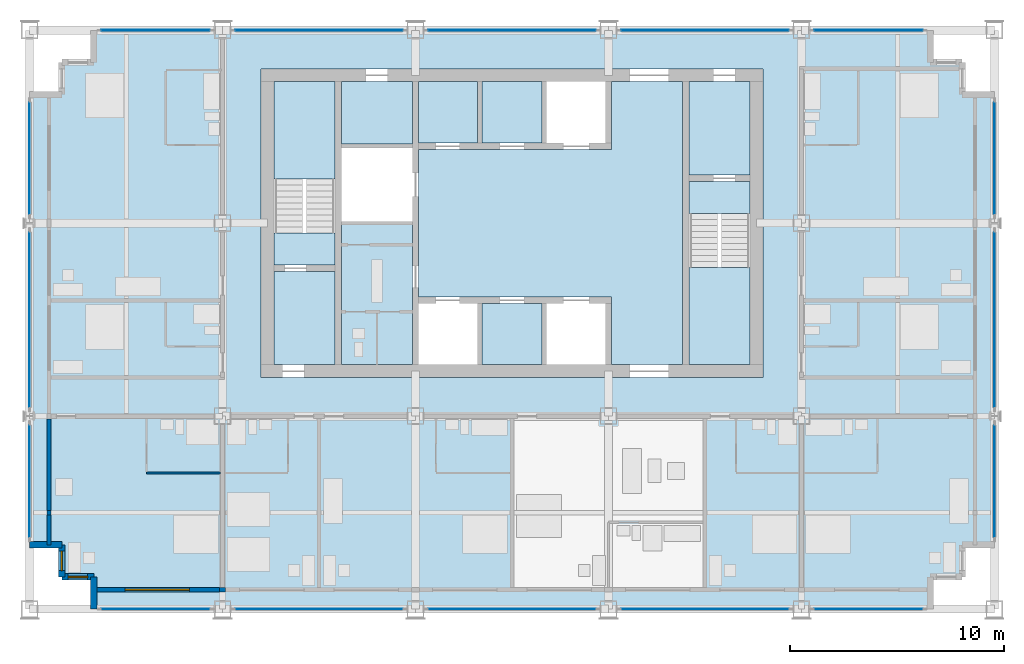
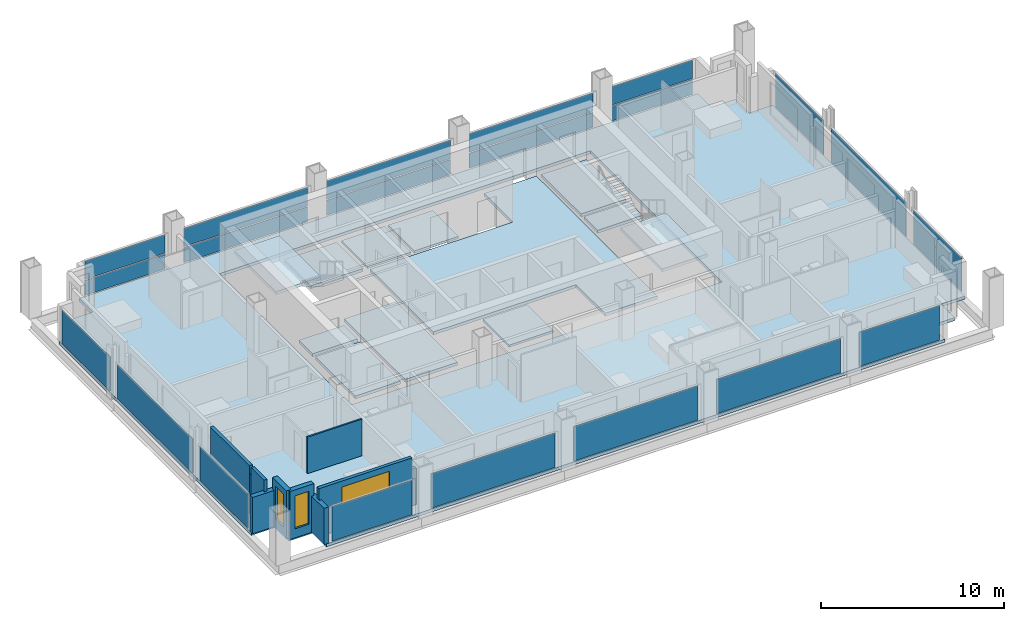
# One storey, part 6 of 13: 21 plates, 13 slabs, 10 walls, 3 windows, 3 openings, 18 elements without a shape of their own.
"""IFC4 building model written with IfcOpenShell, lengths in metres."""

from ifc_helpers import new_model, si_unit, direction, frame, frame_2d, origin, origin_2d, place, context, subcontext, project, spatial, polyline, rectangle, outline, extrude, material, layer, layer_set, type_object, element, fill, aggregate, save


model = new_model("IFC4")

# Units and contexts
model_context = context("Model", 3, precision=1e-05, world=origin(), true_north=direction((0.0, 1.0)))
body_context = subcontext(model_context, "Body", "Model", "MODEL_VIEW")
ifc_project = project(units=[si_unit("LENGTHUNIT", "METRE"), si_unit("AREAUNIT", "SQUARE_METRE"), si_unit("VOLUMEUNIT", "CUBIC_METRE"), si_unit("PLANEANGLEUNIT", "RADIAN"), si_unit("MASSUNIT", "GRAM", prefix="KILO")], contexts=[model_context])

# Site, building, storey
site_placement = place(None, origin())
site = spatial("IfcSite", under=ifc_project, at=site_placement, CompositionType="ELEMENT")
building_placement = place(site_placement, origin())
building = spatial("IfcBuilding", under=site, at=building_placement, Name="Loomwork Tower", CompositionType="ELEMENT")
storey_placement = place(building_placement, frame((0.0, 0.0, 204.60009765625)))
storey = spatial("IfcBuildingStorey", under=building, at=storey_placement, Name="L56", CompositionType="ELEMENT", Elevation=204.60009765625)

# Slabs
ifc_material_1 = material(Name="Concrete 5000 psi (34 MPa) on composite metal deck", Category="concrete")
ifc_layer_1 = layer(ifc_material_1, 0.199951171875)
ifc_layer_set_1 = layer_set([ifc_layer_1], Name="Floor slab 200")
slab_type_1 = type_object("IfcSlabType", Name="Floor slab 200", PredefinedType="FLOOR", material=ifc_layer_set_1)
slab_1_placement = place(storey_placement, frame((0.0, 0.0, -0.2001953125)))
element("IfcSlab", 1, at=slab_1_placement, inside=storey, type_object=slab_type_1, Name="Floor slab L56", PredefinedType="FLOOR", context=body_context, shape_type="SweptSolid", body=[
    extrude(outline(polyline([(3.0, 1.5), (1.5, 1.5), (1.5, 3.0), (0.0, 3.0), (0.0, 24.0), (1.5, 24.0), (1.5, 25.5), (3.0, 25.5), (3.0, 27.0), (42.0, 27.0), (42.0, 25.5), (43.5, 25.5), (43.5, 24.0), (45.0, 24.0), (45.0, 3.0), (43.5, 3.0), (43.5, 1.5), (42.0, 1.5), (42.0, 0.0), (3.0, 0.0), (3.0, 1.5)]), holes=[polyline([(10.800048828125, 11.39990234375), (10.800048828125, 11.39990234375), (10.800048828125, 10.800048828125), (34.199951171875, 10.800048828125), (34.199951171875, 11.39990234375), (34.199951171875, 11.39990234375), (34.199951171875, 24.60009765625), (34.199951171875, 25.199951171875), (10.800048828125, 25.199951171875), (10.800048828125, 24.60009765625), (10.800048828125, 11.39990234375)])]), origin(), (0.0, 0.0, 1.0), 0.2001953125),
])
slab_2_placement = place(storey_placement, frame((0.0, 0.0, -0.2001953125)))
element("IfcSlab", 2, at=slab_2_placement, inside=storey, type_object=slab_type_1, Name="Floor slab L56", PredefinedType="FLOOR", context=body_context, shape_type="SweptSolid", body=[
    extrude(outline(polyline([(30.449951171875, 24.60009765625), (30.449951171875, 11.39990234375), (27.14990234375, 11.39990234375), (27.14990234375, 14.25), (27.14990234375, 14.550048828125), (18.14990234375, 14.550048828125), (18.14990234375, 21.449951171875), (27.14990234375, 21.449951171875), (27.14990234375, 21.75), (27.14990234375, 24.60009765625), (30.449951171875, 24.60009765625)])), origin(), (0.0, 0.0, 1.0), 0.2001953125),
])
slab_3_placement = place(storey_placement, frame((0.0, 0.0, -0.2001953125)))
element("IfcSlab", 3, at=slab_3_placement, inside=storey, type_object=slab_type_1, Name="Floor slab L56", PredefinedType="FLOOR", context=body_context, shape_type="SweptSolid", body=[
    extrude(outline(polyline([(14.550048828125, 11.39990234375), (14.550048828125, 18.074951171875), (17.85009765625, 18.074951171875), (17.85009765625, 11.39990234375), (14.550048828125, 11.39990234375)])), origin(), (0.0, 0.0, 1.0), 0.2001953125),
])
slab_4_placement = place(storey_placement, frame((0.0, 0.0, -0.2001953125)))
element("IfcSlab", 4, at=slab_4_placement, inside=storey, type_object=slab_type_1, Name="Floor slab L56", PredefinedType="FLOOR", context=body_context, shape_type="SweptSolid", body=[
    extrude(outline(polyline([(33.60009765625, 20.25), (30.75, 20.25), (30.75, 24.60009765625), (33.60009765625, 24.60009765625), (33.60009765625, 20.25)])), origin(), (0.0, 0.0, 1.0), 0.2001953125),
])
slab_5_placement = place(storey_placement, frame((0.0, 0.0, -0.2001953125)))
element("IfcSlab", 5, at=slab_5_placement, inside=storey, type_object=slab_type_1, Name="Floor slab L56", PredefinedType="FLOOR", context=body_context, shape_type="SweptSolid", body=[
    extrude(outline(polyline([(14.25, 15.75), (14.25, 11.39990234375), (11.39990234375, 11.39990234375), (11.39990234375, 15.75), (14.25, 15.75)])), origin(), (0.0, 0.0, 1.0), 0.2001953125),
])
slab_6_placement = place(storey_placement, frame((0.0, 0.0, -0.2001953125)))
element("IfcSlab", 6, at=slab_6_placement, inside=storey, type_object=slab_type_1, Name="Floor slab L56", PredefinedType="FLOOR", context=body_context, shape_type="SweptSolid", body=[
    extrude(outline(polyline([(14.550048828125, 21.699951171875), (14.550048828125, 24.60009765625), (17.85009765625, 24.60009765625), (17.85009765625, 21.699951171875), (14.550048828125, 21.699951171875)])), origin(), (0.0, 0.0, 1.0), 0.2001953125),
])

# Curtain wall, plate
ifc_material_2 = material(Name="Aluminium curtain wall frame", Category="aluminium")
curtain_wall_type_1 = type_object("IfcCurtainWallType", Name="Outer skin glazing hotel", PredefinedType="NOTDEFINED", material=ifc_material_2)
curtain_wall_1_placement = place(storey_placement, origin())
curtain_wall_1 = element("IfcCurtainWall", 7, at=curtain_wall_1_placement, inside=storey, type_object=curtain_wall_type_1, Name="Outer skin glazing hotel cw/S-0", PredefinedType="NOTDEFINED")
ifc_material_3 = material(Name="Clear laminated glass", Category="glass")
ifc_layer_2 = layer(ifc_material_3, 0.02392578125)
ifc_layer_set_2 = layer_set([ifc_layer_2], Name="Outer skin glazing hotel panel")
plate_type_1 = type_object("IfcPlateType", Name="Outer skin glazing hotel panel", PredefinedType="CURTAIN_PANEL", material=ifc_layer_set_2)
plate_1_placement = place(storey_placement, frame((5.875, 0.0, 0.06494140625), z_axis=(0.0, 0.0, 1.0), x_axis=(1.0, 0.0, 0.0)))
plate_1 = element("IfcPlate", 8, at=plate_1_placement, type_object=plate_type_1, Name="CW1 panel 1.1", PredefinedType="CURTAIN_PANEL", context=body_context, shape_type="SweptSolid", body=[
    extrude(rectangle(XDim=5.050048828125, YDim=0.02392578125, at=origin_2d()), origin(), (0.0, 0.0, 1.0), 2.290283203125),
])
aggregate(curtain_wall_1, [plate_1])

curtain_wall_2_placement = place(storey_placement, origin())
curtain_wall_2 = element("IfcCurtainWall", 9, at=curtain_wall_2_placement, inside=storey, type_object=curtain_wall_type_1, Name="Outer skin glazing hotel cw/S-9", PredefinedType="NOTDEFINED")
plate_2_placement = place(storey_placement, frame((13.5, 0.0, 0.06494140625), z_axis=(0.0, 0.0, 1.0), x_axis=(1.0, 0.0, 0.0)))
plate_2 = element("IfcPlate", 10, at=plate_2_placement, type_object=plate_type_1, Name="CW1 panel 1.1", PredefinedType="CURTAIN_PANEL", context=body_context, shape_type="SweptSolid", body=[
    extrude(rectangle(XDim=7.800048828125, YDim=0.02392578125, at=origin_2d()), origin(), (0.0, 0.0, 1.0), 2.290283203125),
])
aggregate(curtain_wall_2, [plate_2])

curtain_wall_3_placement = place(storey_placement, origin())
curtain_wall_3 = element("IfcCurtainWall", 11, at=curtain_wall_3_placement, inside=storey, type_object=curtain_wall_type_1, Name="Outer skin glazing hotel cw/S-18", PredefinedType="NOTDEFINED")
plate_3_placement = place(storey_placement, frame((22.5, 0.0, 0.06494140625), z_axis=(0.0, 0.0, 1.0), x_axis=(1.0, 0.0, 0.0)))
plate_3 = element("IfcPlate", 12, at=plate_3_placement, type_object=plate_type_1, Name="CW1 panel 1.1", PredefinedType="CURTAIN_PANEL", context=body_context, shape_type="SweptSolid", body=[
    extrude(rectangle(XDim=7.800048828125, YDim=0.02392578125, at=origin_2d()), origin(), (0.0, 0.0, 1.0), 2.290283203125),
])
aggregate(curtain_wall_3, [plate_3])

curtain_wall_4_placement = place(storey_placement, origin())
curtain_wall_4 = element("IfcCurtainWall", 13, at=curtain_wall_4_placement, inside=storey, type_object=curtain_wall_type_1, Name="Outer skin glazing hotel cw/S-27", PredefinedType="NOTDEFINED")
plate_4_placement = place(storey_placement, frame((31.5, 0.0, 0.06494140625), z_axis=(0.0, 0.0, 1.0), x_axis=(1.0, 0.0, 0.0)))
plate_4 = element("IfcPlate", 14, at=plate_4_placement, type_object=plate_type_1, Name="CW1 panel 1.1", PredefinedType="CURTAIN_PANEL", context=body_context, shape_type="SweptSolid", body=[
    extrude(rectangle(XDim=7.800048828125, YDim=0.02392578125, at=origin_2d()), origin(), (0.0, 0.0, 1.0), 2.290283203125),
])
aggregate(curtain_wall_4, [plate_4])

curtain_wall_5_placement = place(storey_placement, origin())
curtain_wall_5 = element("IfcCurtainWall", 15, at=curtain_wall_5_placement, inside=storey, type_object=curtain_wall_type_1, Name="Outer skin glazing hotel cw/S-36", PredefinedType="NOTDEFINED")
plate_5_placement = place(storey_placement, frame((39.125, 0.0, 0.06494140625), z_axis=(0.0, 0.0, 1.0), x_axis=(1.0, 0.0, 0.0)))
plate_5 = element("IfcPlate", 16, at=plate_5_placement, type_object=plate_type_1, Name="CW1 panel 1.1", PredefinedType="CURTAIN_PANEL", context=body_context, shape_type="SweptSolid", body=[
    extrude(rectangle(XDim=5.050048828125, YDim=0.02392578125, at=origin_2d()), origin(), (0.0, 0.0, 1.0), 2.290283203125),
])
aggregate(curtain_wall_5, [plate_5])

curtain_wall_6_placement = place(storey_placement, origin())
curtain_wall_6 = element("IfcCurtainWall", 17, at=curtain_wall_6_placement, inside=storey, type_object=curtain_wall_type_1, Name="Outer skin glazing hotel cw/W-0", PredefinedType="NOTDEFINED")
plate_6_placement = place(storey_placement, frame((0.0, 5.96826171875, 0.06494140625), z_axis=(0.0, 0.0, 1.0), x_axis=(0.0, -1.0, 0.0)))
plate_6 = element("IfcPlate", 18, at=plate_6_placement, type_object=plate_type_1, Name="CW1 panel 1.1", PredefinedType="CURTAIN_PANEL", context=body_context, shape_type="SweptSolid", body=[
    extrude(rectangle(XDim=5.236572265625, YDim=0.02392578125, at=origin_2d()), origin(), (0.0, 0.0, 1.0), 2.290283203125),
])
aggregate(curtain_wall_6, [plate_6])

curtain_wall_7_placement = place(storey_placement, origin())
curtain_wall_7 = element("IfcCurtainWall", 19, at=curtain_wall_7_placement, inside=storey, type_object=curtain_wall_type_1, Name="Outer skin glazing hotel cw/W-9", PredefinedType="NOTDEFINED")
plate_7_placement = place(storey_placement, frame((0.0, 13.5, 0.06494140625), z_axis=(0.0, 0.0, 1.0), x_axis=(0.0, -1.0, 0.0)))
plate_7 = element("IfcPlate", 20, at=plate_7_placement, type_object=plate_type_1, Name="CW1 panel 1.1", PredefinedType="CURTAIN_PANEL", context=body_context, shape_type="SweptSolid", body=[
    extrude(rectangle(XDim=8.173095703125, YDim=0.02392578125, at=origin_2d()), origin(), (0.0, 0.0, 1.0), 2.290283203125),
])
aggregate(curtain_wall_7, [plate_7])

curtain_wall_8_placement = place(storey_placement, origin())
curtain_wall_8 = element("IfcCurtainWall", 21, at=curtain_wall_8_placement, inside=storey, type_object=curtain_wall_type_1, Name="Outer skin glazing hotel cw/W-18", PredefinedType="NOTDEFINED")
plate_8_placement = place(storey_placement, frame((0.0, 21.03173828125, 0.06494140625), z_axis=(0.0, 0.0, 1.0), x_axis=(0.0, -1.0, 0.0)))
plate_8 = element("IfcPlate", 22, at=plate_8_placement, type_object=plate_type_1, Name="CW1 panel 1.1", PredefinedType="CURTAIN_PANEL", context=body_context, shape_type="SweptSolid", body=[
    extrude(rectangle(XDim=5.236572265625, YDim=0.02392578125, at=origin_2d()), origin(), (0.0, 0.0, 1.0), 2.290283203125),
])
aggregate(curtain_wall_8, [plate_8])

curtain_wall_9_placement = place(storey_placement, origin())
curtain_wall_9 = element("IfcCurtainWall", 23, at=curtain_wall_9_placement, inside=storey, type_object=curtain_wall_type_1, Name="Outer skin glazing hotel cw/E-0", PredefinedType="NOTDEFINED")
plate_9_placement = place(storey_placement, frame((45.0, 5.96826171875, 0.06494140625), z_axis=(0.0, 0.0, 1.0), x_axis=(0.0, 1.0, 0.0)))
plate_9 = element("IfcPlate", 24, at=plate_9_placement, type_object=plate_type_1, Name="CW1 panel 1.1", PredefinedType="CURTAIN_PANEL", context=body_context, shape_type="SweptSolid", body=[
    extrude(rectangle(XDim=5.236572265625, YDim=0.02392578125, at=origin_2d()), origin(), (0.0, 0.0, 1.0), 2.290283203125),
])
aggregate(curtain_wall_9, [plate_9])

curtain_wall_10_placement = place(storey_placement, origin())
curtain_wall_10 = element("IfcCurtainWall", 25, at=curtain_wall_10_placement, inside=storey, type_object=curtain_wall_type_1, Name="Outer skin glazing hotel cw/E-9", PredefinedType="NOTDEFINED")
plate_10_placement = place(storey_placement, frame((45.0, 13.5, 0.06494140625), z_axis=(0.0, 0.0, 1.0), x_axis=(0.0, 1.0, 0.0)))
plate_10 = element("IfcPlate", 26, at=plate_10_placement, type_object=plate_type_1, Name="CW1 panel 1.1", PredefinedType="CURTAIN_PANEL", context=body_context, shape_type="SweptSolid", body=[
    extrude(rectangle(XDim=8.173095703125, YDim=0.02392578125, at=origin_2d()), origin(), (0.0, 0.0, 1.0), 2.290283203125),
])
aggregate(curtain_wall_10, [plate_10])

curtain_wall_11_placement = place(storey_placement, origin())
curtain_wall_11 = element("IfcCurtainWall", 27, at=curtain_wall_11_placement, inside=storey, type_object=curtain_wall_type_1, Name="Outer skin glazing hotel cw/E-18", PredefinedType="NOTDEFINED")
plate_11_placement = place(storey_placement, frame((45.0, 21.03173828125, 0.06494140625), z_axis=(0.0, 0.0, 1.0), x_axis=(0.0, 1.0, 0.0)))
plate_11 = element("IfcPlate", 28, at=plate_11_placement, type_object=plate_type_1, Name="CW1 panel 1.1", PredefinedType="CURTAIN_PANEL", context=body_context, shape_type="SweptSolid", body=[
    extrude(rectangle(XDim=5.236572265625, YDim=0.02392578125, at=origin_2d()), origin(), (0.0, 0.0, 1.0), 2.290283203125),
])
aggregate(curtain_wall_11, [plate_11])

# Slabs
ifc_material_4 = material(Name="Concrete 5000 psi (34 MPa) on composite metal deck", Category="concrete")
ifc_layer_3 = layer(ifc_material_4, 0.14990234375)
ifc_layer_set_3 = layer_set([ifc_layer_3], Name="Shaft infill floor 150")
slab_type_2 = type_object("IfcSlabType", Name="Shaft infill floor 150", PredefinedType="FLOOR", material=ifc_layer_set_3)
slab_7_placement = place(storey_placement, frame((0.0, 0.0, -0.150146484375)))
element("IfcSlab", 29, at=slab_7_placement, inside=storey, type_object=slab_type_2, Name="Shaft infill floor LS1 L56", PredefinedType="FLOOR", context=body_context, shape_type="SweptSolid", body=[
    extrude(outline(polyline([(18.14990234375, 21.75), (20.89990234375, 21.75), (20.89990234375, 24.60009765625), (18.14990234375, 24.60009765625), (18.14990234375, 21.75)])), origin(), (0.0, 0.0, 1.0), 0.150146484375),
])
slab_8_placement = place(storey_placement, frame((0.0, 0.0, -0.150146484375)))
element("IfcSlab", 30, at=slab_8_placement, inside=storey, type_object=slab_type_2, Name="Shaft infill floor LS2 L56", PredefinedType="FLOOR", context=body_context, shape_type="SweptSolid", body=[
    extrude(outline(polyline([(21.10009765625, 21.75), (23.89990234375, 21.75), (23.89990234375, 24.60009765625), (21.10009765625, 24.60009765625), (21.10009765625, 21.75)])), origin(), (0.0, 0.0, 1.0), 0.150146484375),
])
slab_9_placement = place(storey_placement, frame((0.0, 0.0, -0.150146484375)))
element("IfcSlab", 31, at=slab_9_placement, inside=storey, type_object=slab_type_2, Name="Shaft infill floor S2 L56", PredefinedType="FLOOR", context=body_context, shape_type="SweptSolid", body=[
    extrude(outline(polyline([(21.10009765625, 11.39990234375), (23.89990234375, 11.39990234375), (23.89990234375, 14.25), (21.10009765625, 14.25), (21.10009765625, 11.39990234375)])), origin(), (0.0, 0.0, 1.0), 0.150146484375),
])

# Curtain wall, plates
ifc_material_5 = material(Name="Aluminium curtain wall frame", Category="aluminium")
curtain_wall_type_2 = type_object("IfcCurtainWallType", Name="Single skin glazing corridor", PredefinedType="NOTDEFINED", material=ifc_material_5)
curtain_wall_12_placement = place(storey_placement, origin())
curtain_wall_12 = element("IfcCurtainWall", 32, at=curtain_wall_12_placement, inside=storey, type_object=curtain_wall_type_2, Name="Single skin glazing corridor cw/N-0", PredefinedType="NOTDEFINED")
ifc_material_6 = material(Name="Clear insulated glass", Category="glass")
ifc_layer_4 = layer(ifc_material_6, 0.031982421875)
ifc_layer_set_4 = layer_set([ifc_layer_4], Name="Single skin glazing corridor panel")
plate_type_2 = type_object("IfcPlateType", Name="Single skin glazing corridor panel", PredefinedType="CURTAIN_PANEL", material=ifc_layer_set_4)
plate_12_placement = place(storey_placement, frame((5.875, 27.0, 0.06494140625), z_axis=(0.0, 0.0, 1.0), x_axis=(-1.0, 0.0, 0.0)))
plate_12 = element("IfcPlate", 33, at=plate_12_placement, type_object=plate_type_2, Name="CW3 panel 1.1", PredefinedType="CURTAIN_PANEL", context=body_context, shape_type="SweptSolid", body=[
    extrude(rectangle(XDim=5.050048828125, YDim=0.031982421875, at=origin_2d()), origin(), (0.0, 0.0, 1.0), 1.00244140625),
])
plate_13_placement = place(storey_placement, frame((5.875, 27.0, 1.13232421875), z_axis=(0.0, 0.0, 1.0), x_axis=(-1.0, 0.0, 0.0)))
plate_13 = element("IfcPlate", 34, at=plate_13_placement, type_object=plate_type_2, Name="CW3 panel 1.2", PredefinedType="CURTAIN_PANEL", context=body_context, shape_type="SweptSolid", body=[
    extrude(rectangle(XDim=5.050048828125, YDim=0.031982421875, at=origin_2d()), origin(), (0.0, 0.0, 1.0), 1.22265625),
])
aggregate(curtain_wall_12, [plate_12, plate_13])

curtain_wall_13_placement = place(storey_placement, origin())
curtain_wall_13 = element("IfcCurtainWall", 35, at=curtain_wall_13_placement, inside=storey, type_object=curtain_wall_type_2, Name="Single skin glazing corridor cw/N-9", PredefinedType="NOTDEFINED")
plate_14_placement = place(storey_placement, frame((13.5, 27.0, 0.06494140625), z_axis=(0.0, 0.0, 1.0), x_axis=(-1.0, 0.0, 0.0)))
plate_14 = element("IfcPlate", 36, at=plate_14_placement, type_object=plate_type_2, Name="CW3 panel 1.1", PredefinedType="CURTAIN_PANEL", context=body_context, shape_type="SweptSolid", body=[
    extrude(rectangle(XDim=7.800048828125, YDim=0.031982421875, at=origin_2d()), origin(), (0.0, 0.0, 1.0), 1.00244140625),
])
plate_15_placement = place(storey_placement, frame((13.5, 27.0, 1.13232421875), z_axis=(0.0, 0.0, 1.0), x_axis=(-1.0, 0.0, 0.0)))
plate_15 = element("IfcPlate", 37, at=plate_15_placement, type_object=plate_type_2, Name="CW3 panel 1.2", PredefinedType="CURTAIN_PANEL", context=body_context, shape_type="SweptSolid", body=[
    extrude(rectangle(XDim=7.800048828125, YDim=0.031982421875, at=origin_2d()), origin(), (0.0, 0.0, 1.0), 1.22265625),
])
aggregate(curtain_wall_13, [plate_14, plate_15])

curtain_wall_14_placement = place(storey_placement, origin())
curtain_wall_14 = element("IfcCurtainWall", 38, at=curtain_wall_14_placement, inside=storey, type_object=curtain_wall_type_2, Name="Single skin glazing corridor cw/N-18", PredefinedType="NOTDEFINED")
plate_16_placement = place(storey_placement, frame((22.5, 27.0, 0.06494140625), z_axis=(0.0, 0.0, 1.0), x_axis=(-1.0, 0.0, 0.0)))
plate_16 = element("IfcPlate", 39, at=plate_16_placement, type_object=plate_type_2, Name="CW3 panel 1.1", PredefinedType="CURTAIN_PANEL", context=body_context, shape_type="SweptSolid", body=[
    extrude(rectangle(XDim=7.800048828125, YDim=0.031982421875, at=origin_2d()), origin(), (0.0, 0.0, 1.0), 1.00244140625),
])
plate_17_placement = place(storey_placement, frame((22.5, 27.0, 1.13232421875), z_axis=(0.0, 0.0, 1.0), x_axis=(-1.0, 0.0, 0.0)))
plate_17 = element("IfcPlate", 40, at=plate_17_placement, type_object=plate_type_2, Name="CW3 panel 1.2", PredefinedType="CURTAIN_PANEL", context=body_context, shape_type="SweptSolid", body=[
    extrude(rectangle(XDim=7.800048828125, YDim=0.031982421875, at=origin_2d()), origin(), (0.0, 0.0, 1.0), 1.22265625),
])
aggregate(curtain_wall_14, [plate_16, plate_17])

curtain_wall_15_placement = place(storey_placement, origin())
curtain_wall_15 = element("IfcCurtainWall", 41, at=curtain_wall_15_placement, inside=storey, type_object=curtain_wall_type_2, Name="Single skin glazing corridor cw/N-27", PredefinedType="NOTDEFINED")
plate_18_placement = place(storey_placement, frame((31.5, 27.0, 0.06494140625), z_axis=(0.0, 0.0, 1.0), x_axis=(-1.0, 0.0, 0.0)))
plate_18 = element("IfcPlate", 42, at=plate_18_placement, type_object=plate_type_2, Name="CW3 panel 1.1", PredefinedType="CURTAIN_PANEL", context=body_context, shape_type="SweptSolid", body=[
    extrude(rectangle(XDim=7.800048828125, YDim=0.031982421875, at=origin_2d()), origin(), (0.0, 0.0, 1.0), 1.00244140625),
])
plate_19_placement = place(storey_placement, frame((31.5, 27.0, 1.13232421875), z_axis=(0.0, 0.0, 1.0), x_axis=(-1.0, 0.0, 0.0)))
plate_19 = element("IfcPlate", 43, at=plate_19_placement, type_object=plate_type_2, Name="CW3 panel 1.2", PredefinedType="CURTAIN_PANEL", context=body_context, shape_type="SweptSolid", body=[
    extrude(rectangle(XDim=7.800048828125, YDim=0.031982421875, at=origin_2d()), origin(), (0.0, 0.0, 1.0), 1.22265625),
])
aggregate(curtain_wall_15, [plate_18, plate_19])

curtain_wall_16_placement = place(storey_placement, origin())
curtain_wall_16 = element("IfcCurtainWall", 44, at=curtain_wall_16_placement, inside=storey, type_object=curtain_wall_type_2, Name="Single skin glazing corridor cw/N-36", PredefinedType="NOTDEFINED")
plate_20_placement = place(storey_placement, frame((39.125, 27.0, 0.06494140625), z_axis=(0.0, 0.0, 1.0), x_axis=(-1.0, 0.0, 0.0)))
plate_20 = element("IfcPlate", 45, at=plate_20_placement, type_object=plate_type_2, Name="CW3 panel 1.1", PredefinedType="CURTAIN_PANEL", context=body_context, shape_type="SweptSolid", body=[
    extrude(rectangle(XDim=5.050048828125, YDim=0.031982421875, at=origin_2d()), origin(), (0.0, 0.0, 1.0), 1.00244140625),
])
plate_21_placement = place(storey_placement, frame((39.125, 27.0, 1.13232421875), z_axis=(0.0, 0.0, 1.0), x_axis=(-1.0, 0.0, 0.0)))
plate_21 = element("IfcPlate", 46, at=plate_21_placement, type_object=plate_type_2, Name="CW3 panel 1.2", PredefinedType="CURTAIN_PANEL", context=body_context, shape_type="SweptSolid", body=[
    extrude(rectangle(XDim=5.050048828125, YDim=0.031982421875, at=origin_2d()), origin(), (0.0, 0.0, 1.0), 1.22265625),
])
aggregate(curtain_wall_16, [plate_20, plate_21])

# Stair, slabs
ifc_material_7 = material(Name="Concrete 5000 psi (34 MPa) precast stair", Category="concrete")
stair_type_1 = type_object("IfcStairType", Name="Stair ST-A 20 risers 2850 wide", PredefinedType="HALF_TURN_STAIR", material=ifc_material_7)
stair_1_placement = place(storey_placement, origin())
stair_1 = element("IfcStair", 47, at=stair_1_placement, inside=storey, type_object=stair_type_1, Name="Stair A L56", PredefinedType="HALF_TURN_STAIR")
ifc_material_8 = material(Name="Concrete 5000 psi (34 MPa)", Category="concrete")
ifc_layer_5 = layer(ifc_material_8, 0.199951171875)
ifc_layer_set_5 = layer_set([ifc_layer_5], Name="Stair landing 200")
slab_type_3 = type_object("IfcSlabType", Name="Stair landing 200", PredefinedType="LANDING", material=ifc_layer_set_5)
slab_10_placement = place(storey_placement, frame((0.0, 0.0, -0.2001953125)))
slab_10 = element("IfcSlab", 48, at=slab_10_placement, type_object=slab_type_3, Name="ST-A landing 1", PredefinedType="LANDING", context=body_context, shape_type="SweptSolid", body=[
    extrude(outline(polyline([(11.39990234375, 16.050048828125), (14.25, 16.050048828125), (14.25, 17.550048828125), (11.39990234375, 17.550048828125), (11.39990234375, 16.050048828125)])), origin(), (0.0, 0.0, 1.0), 0.2001953125),
])
slab_11_placement = place(storey_placement, frame((0.0, 0.0, 1.5)))
slab_11 = element("IfcSlab", 49, at=slab_11_placement, type_object=slab_type_3, Name="ST-A landing 2", PredefinedType="LANDING", context=body_context, shape_type="SweptSolid", body=[
    extrude(outline(polyline([(11.39990234375, 20.070068359375), (14.25, 20.070068359375), (14.25, 24.60009765625), (11.39990234375, 24.60009765625), (11.39990234375, 20.070068359375)])), origin(), (0.0, 0.0, 1.0), 0.199951171875),
])
aggregate(stair_1, [slab_10, slab_11])

ifc_material_9 = material(Name="Concrete 5000 psi (34 MPa) precast stair", Category="concrete")
stair_type_2 = type_object("IfcStairType", Name="Stair ST-B 20 risers 2850 wide", PredefinedType="HALF_TURN_STAIR", material=ifc_material_9)
stair_2_placement = place(storey_placement, origin())
stair_2 = element("IfcStair", 50, at=stair_2_placement, inside=storey, type_object=stair_type_2, Name="Stair B L56", PredefinedType="HALF_TURN_STAIR")
slab_12_placement = place(storey_placement, frame((0.0, 0.0, -0.2001953125)))
slab_12 = element("IfcSlab", 51, at=slab_12_placement, type_object=slab_type_3, Name="ST-B landing 1", PredefinedType="LANDING", context=body_context, shape_type="SweptSolid", body=[
    extrude(outline(polyline([(30.75, 18.449951171875), (33.60009765625, 18.449951171875), (33.60009765625, 19.949951171875), (30.75, 19.949951171875), (30.75, 18.449951171875)])), origin(), (0.0, 0.0, 1.0), 0.2001953125),
])
slab_13_placement = place(storey_placement, frame((0.0, 0.0, 1.5)))
slab_13 = element("IfcSlab", 52, at=slab_13_placement, type_object=slab_type_3, Name="ST-B landing 2", PredefinedType="LANDING", context=body_context, shape_type="SweptSolid", body=[
    extrude(outline(polyline([(30.75, 11.39990234375), (33.60009765625, 11.39990234375), (33.60009765625, 15.929931640625), (30.75, 15.929931640625), (30.75, 11.39990234375)])), origin(), (0.0, 0.0, 1.0), 0.199951171875),
])
aggregate(stair_2, [slab_12, slab_13])

# Wall
ifc_material_10 = material(Name="Cement board on steel studs", Category="steel")
ifc_layer_6 = layer(ifc_material_10, 0.10009765625)
ifc_layer_set_6 = layer_set([ifc_layer_6], Name="En-suite partition 100")
wall_type_1 = type_object("IfcWallType", Name="En-suite partition 100", PredefinedType="PARTITIONING", material=ifc_layer_set_6)
wall_1_placement = place(storey_placement, frame((5.449951171875, 6.35009765625, 0.0), z_axis=(0.0, 0.0, 1.0), x_axis=(1.0, 0.0, 0.0)))
element("IfcWall", 53, at=wall_1_placement, inside=storey, type_object=wall_type_1, Name="En-suite wall L56 room 1", PredefinedType="PARTITIONING", context=body_context, shape_type="SweptSolid", body=[
    extrude(rectangle(XDim=3.449951171875, YDim=0.10009765625, at=frame_2d((1.72509765625, 0.0))), origin(), (0.0, 0.0, 1.0), 2.43798828125),
])

# Wall, opening, window
ifc_material_11 = material(Name="Insulated steel stud wall with gypsum lining", Category="steel")
ifc_layer_7 = layer(ifc_material_11, 0.199951171875)
ifc_layer_set_7 = layer_set([ifc_layer_7], Name="Inner skin wall 200")
wall_type_2 = type_object("IfcWallType", Name="Inner skin wall 200", PredefinedType="SOLIDWALL", material=ifc_layer_set_7)
wall_2_placement = place(storey_placement, frame((3.0, 0.89990234375, 0.0), z_axis=(0.0, 0.0, 1.0), x_axis=(1.0, 0.0, 0.0)))
wall_2 = element("IfcWall", 54, at=wall_2_placement, inside=storey, type_object=wall_type_2, Name="Inner skin wall S", PredefinedType="SOLIDWALL", context=body_context, shape_type="SweptSolid", body=[
    extrude(rectangle(XDim=5.86474609375, YDim=0.199951171875, at=frame_2d((2.932373046875, 0.0))), origin(), (0.0, 0.0, 1.0), 3.199951171875),
])
opening_1_placement = place(wall_2_placement, frame((1.449951171875, 0.0, 0.60009765625)))
opening_1 = element("IfcOpeningElement", 55, at=opening_1_placement, cuts=wall_2, Name="Opening CH1", PredefinedType="OPENING", context=body_context, shape_type="SweptSolid", body=[
    extrude(rectangle(XDim=3.0, YDim=2.199951171875, at=frame_2d((1.5, 1.10009765625))), frame((0.0, 0.10986328125, 0.0), z_axis=(0.0, -1.0, 0.0), x_axis=(1.0, 0.0, 0.0)), (0.0, 0.0, 1.0), 0.219970703125),
])
ifc_material_12 = material(Name="Aluminium frame with clear insulated glass", Category="aluminium")
window_type_1 = type_object("IfcWindowType", Name="Chicago window 3000", PartitioningType="TRIPLE_PANEL_VERTICAL", PredefinedType="WINDOW", material=ifc_material_12)
window_1_placement = place(opening_1_placement, origin())
window_1 = element("IfcWindow", 56, at=window_1_placement, inside=storey, type_object=window_type_1, Name="Chicago window L56 bay 1", OverallHeight=2.199951171875, OverallWidth=3.0, PartitioningType="TRIPLE_PANEL_VERTICAL", PredefinedType="WINDOW", context=body_context, shape_type="SweptSolid", body=[
    extrude(rectangle(XDim=3.0, YDim=2.199951171875, at=frame_2d((1.5, 1.10009765625))), frame((0.0, 0.030029296875, 0.0), z_axis=(0.0, -1.0, 0.0), x_axis=(1.0, 0.0, 0.0)), (0.0, 0.0, 1.0), 0.06005859375),
])
fill(opening_1, window_1)

# Walls
wall_3_placement = place(storey_placement, frame((0.89990234375, 3.0, 0.0), z_axis=(0.0, 0.0, 1.0), x_axis=(0.0, 1.0, 0.0)))
element("IfcWall", 57, at=wall_3_placement, inside=storey, type_object=wall_type_2, Name="Inner skin wall W", PredefinedType="SOLIDWALL", context=body_context, shape_type="SweptSolid", body=[
    extrude(rectangle(XDim=1.392578125, YDim=0.199951171875, at=frame_2d((0.6962890625, 0.0))), origin(), (0.0, 0.0, 1.0), 3.199951171875),
])
wall_4_placement = place(storey_placement, frame((8.86474609375, 0.89990234375, 0.0), z_axis=(0.0, 0.0, 1.0), x_axis=(1.0, 0.0, 0.0)))
element("IfcWall", 58, at=wall_4_placement, inside=storey, type_object=wall_type_2, Name="Inner skin wall S bay 2", PredefinedType="SOLIDWALL", context=body_context, shape_type="SweptSolid", body=[
    extrude(rectangle(XDim=0.2705078125, YDim=0.199951171875, at=frame_2d((0.13525390625, 0.0))), origin(), (0.0, 0.0, 1.0), 2.43798828125),
])
wall_5_placement = place(storey_placement, frame((0.89990234375, 4.392578125, 0.0), z_axis=(0.0, 0.0, 1.0), x_axis=(0.0, 1.0, 0.0)))
element("IfcWall", 59, at=wall_5_placement, inside=storey, type_object=wall_type_2, Name="Inner skin wall W bay 2", PredefinedType="SOLIDWALL", context=body_context, shape_type="SweptSolid", body=[
    extrude(rectangle(XDim=0.21484375, YDim=0.199951171875, at=frame_2d((0.107421875, 0.0))), origin(), (0.0, 0.0, 1.0), 2.660888671875),
])
wall_6_placement = place(storey_placement, frame((0.89990234375, 4.607421875, 0.0), z_axis=(0.0, 0.0, 1.0), x_axis=(0.0, 1.0, 0.0)))
element("IfcWall", 60, at=wall_6_placement, inside=storey, type_object=wall_type_2, Name="Inner skin wall W bay 3", PredefinedType="SOLIDWALL", context=body_context, shape_type="SweptSolid", body=[
    extrude(rectangle(XDim=4.25732421875, YDim=0.199951171875, at=frame_2d((2.128662109375, 0.0))), origin(), (0.0, 0.0, 1.0), 3.199951171875),
])
ifc_material_13 = material(Name="Limestone on concrete masonry", Category="masonry")
ifc_layer_8 = layer(ifc_material_13, 0.300048828125)
ifc_layer_set_8 = layer_set([ifc_layer_8], Name="Limestone corner wall 300")
wall_type_3 = type_object("IfcWallType", Name="Limestone corner wall 300", PredefinedType="SOLIDWALL", material=ifc_layer_set_8)
wall_7_placement = place(storey_placement, frame((0.0, 3.0, 0.0), z_axis=(0.0, 0.0, 1.0), x_axis=(1.0, 0.0, 0.0)))
element("IfcWall", 61, at=wall_7_placement, inside=storey, type_object=wall_type_3, Name="Stone corner wall SW 1", PredefinedType="SOLIDWALL", context=body_context, shape_type="SweptSolid", body=[
    extrude(rectangle(XDim=1.5, YDim=0.300048828125, at=frame_2d((0.75, 0.0))), origin(), (0.0, 0.0, 1.0), 2.419921875),
])

# Wall, opening, window
wall_8_placement = place(storey_placement, frame((1.5, 3.0, 0.0), z_axis=(0.0, 0.0, 1.0), x_axis=(0.0, -1.0, 0.0)))
wall_8 = element("IfcWall", 62, at=wall_8_placement, inside=storey, type_object=wall_type_3, Name="Stone corner wall SW 2", PredefinedType="SOLIDWALL", context=body_context, shape_type="SweptSolid", body=[
    extrude(rectangle(XDim=1.5, YDim=0.300048828125, at=frame_2d((0.75, 0.0))), origin(), (0.0, 0.0, 1.0), 3.199951171875),
])
opening_2_placement = place(wall_8_placement, frame((0.300048828125, 0.0, 0.60009765625)))
opening_2 = element("IfcOpeningElement", 63, at=opening_2_placement, cuts=wall_8, Name="Opening CH2", PredefinedType="OPENING", context=body_context, shape_type="SweptSolid", body=[
    extrude(rectangle(XDim=0.89990234375, YDim=2.199951171875, at=frame_2d((0.449951171875, 1.10009765625))), frame((0.0, 0.159912109375, 0.0), z_axis=(0.0, -1.0, 0.0), x_axis=(1.0, 0.0, 0.0)), (0.0, 0.0, 1.0), 0.320068359375),
])
ifc_material_14 = material(Name="Aluminium frame with clear insulated glass", Category="aluminium")
window_type_2 = type_object("IfcWindowType", Name="Corner window 900", PartitioningType="SINGLE_PANEL", PredefinedType="WINDOW", material=ifc_material_14)
window_2_placement = place(opening_2_placement, origin())
window_2 = element("IfcWindow", 64, at=window_2_placement, inside=storey, type_object=window_type_2, Name="Corner window SW", OverallHeight=2.199951171875, OverallWidth=0.89990234375, PartitioningType="SINGLE_PANEL", PredefinedType="WINDOW", context=body_context, shape_type="SweptSolid", body=[
    extrude(rectangle(XDim=0.89990234375, YDim=2.199951171875, at=frame_2d((0.449951171875, 1.10009765625))), frame((0.0, 0.030029296875, 0.0), z_axis=(0.0, -1.0, 0.0), x_axis=(1.0, 0.0, 0.0)), (0.0, 0.0, 1.0), 0.06005859375),
])
fill(opening_2, window_2)

wall_9_placement = place(storey_placement, frame((1.5, 1.5, 0.0), z_axis=(0.0, 0.0, 1.0), x_axis=(1.0, 0.0, 0.0)))
wall_9 = element("IfcWall", 65, at=wall_9_placement, inside=storey, type_object=wall_type_3, Name="Stone corner wall SW 3", PredefinedType="SOLIDWALL", context=body_context, shape_type="SweptSolid", body=[
    extrude(rectangle(XDim=1.5, YDim=0.300048828125, at=frame_2d((0.75, 0.0))), origin(), (0.0, 0.0, 1.0), 3.199951171875),
])
opening_3_placement = place(wall_9_placement, frame((0.300048828125, 0.0, 0.60009765625)))
opening_3 = element("IfcOpeningElement", 66, at=opening_3_placement, cuts=wall_9, Name="Opening CH2", PredefinedType="OPENING", context=body_context, shape_type="SweptSolid", body=[
    extrude(rectangle(XDim=0.89990234375, YDim=2.199951171875, at=frame_2d((0.449951171875, 1.10009765625))), frame((0.0, 0.159912109375, 0.0), z_axis=(0.0, -1.0, 0.0), x_axis=(1.0, 0.0, 0.0)), (0.0, 0.0, 1.0), 0.320068359375),
])
window_3_placement = place(opening_3_placement, origin())
window_3 = element("IfcWindow", 67, at=window_3_placement, inside=storey, type_object=window_type_2, Name="Corner window SW", OverallHeight=2.199951171875, OverallWidth=0.89990234375, PartitioningType="SINGLE_PANEL", PredefinedType="WINDOW", context=body_context, shape_type="SweptSolid", body=[
    extrude(rectangle(XDim=0.89990234375, YDim=2.199951171875, at=frame_2d((0.449951171875, 1.10009765625))), frame((0.0, 0.030029296875, 0.0), z_axis=(0.0, -1.0, 0.0), x_axis=(1.0, 0.0, 0.0)), (0.0, 0.0, 1.0), 0.06005859375),
])
fill(opening_3, window_3)

# Wall
wall_10_placement = place(storey_placement, frame((3.0, 1.5, 0.0), z_axis=(0.0, 0.0, 1.0), x_axis=(0.0, -1.0, 0.0)))
element("IfcWall", 68, at=wall_10_placement, inside=storey, type_object=wall_type_3, Name="Stone corner wall SW 4", PredefinedType="SOLIDWALL", context=body_context, shape_type="SweptSolid", body=[
    extrude(rectangle(XDim=1.5, YDim=0.300048828125, at=frame_2d((0.75, 0.0))), origin(), (0.0, 0.0, 1.0), 2.419921875),
])

save(model, "model.ifc")
